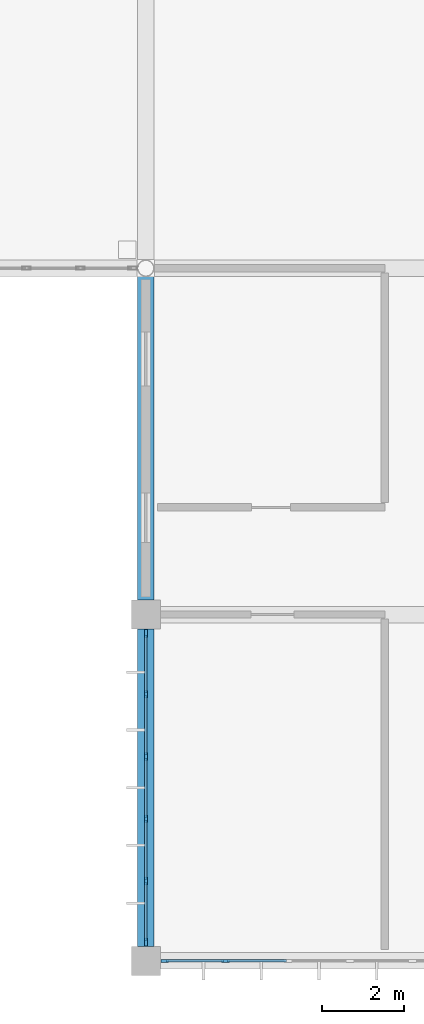
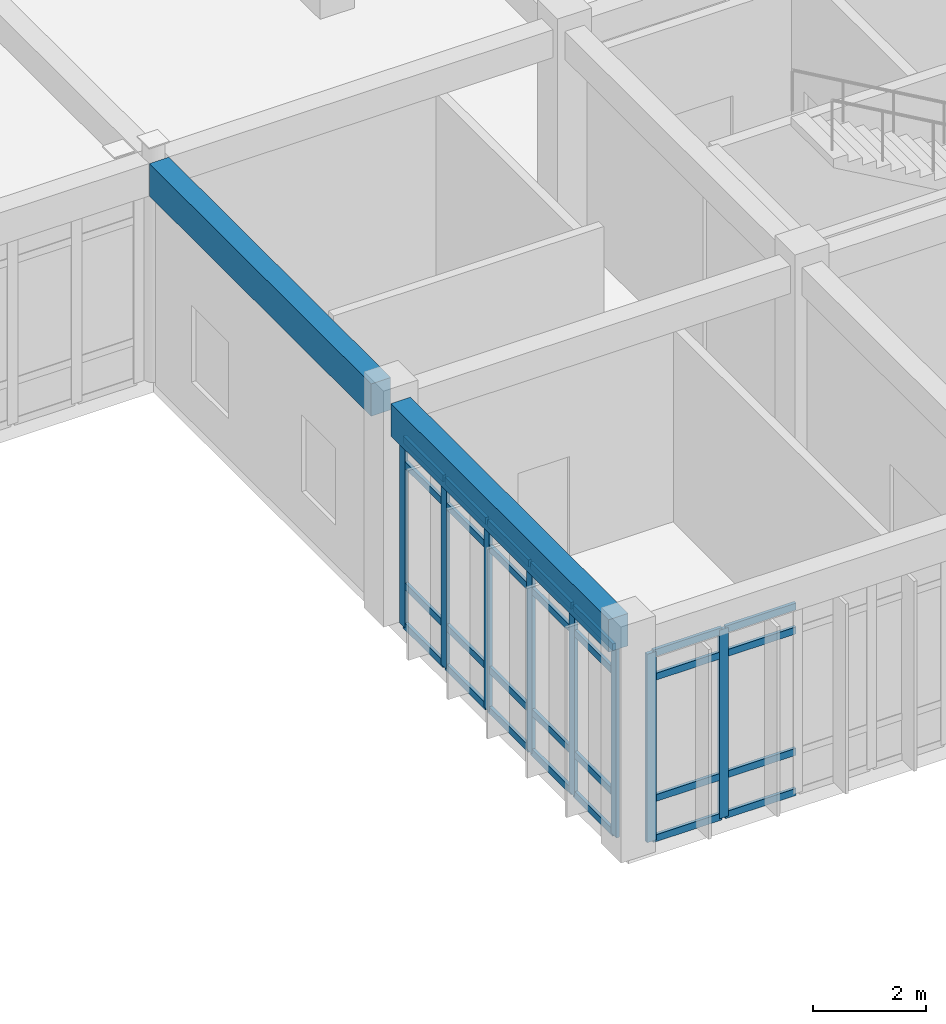
# One storey, part 19 of 134: 36 members, 2 beams, 2 elements without a shape of their own.
"""IFC4 building model written with IfcOpenShell, lengths in metres."""

from ifc_helpers import new_model, si_unit, direction, frame, origin, origin_2d, place, context, subcontext, project, spatial, rectangle, extrude, material, layer, layer_set, material_profile, profile_set, type_object, element, aggregate, save


model = new_model("IFC4")

# Units and contexts
model_context = context("Model", 3, precision=1e-05, world=origin(), true_north=direction((0.0, 1.0)))
body_context = subcontext(model_context, "Body", "Model", "MODEL_VIEW")
ifc_project = project(units=[si_unit("LENGTHUNIT", "METRE"), si_unit("AREAUNIT", "SQUARE_METRE"), si_unit("VOLUMEUNIT", "CUBIC_METRE"), si_unit("PLANEANGLEUNIT", "RADIAN"), si_unit("MASSUNIT", "GRAM", prefix="KILO")], contexts=[model_context])

# Site, building, storey
site_placement = place(None, origin())
site = spatial("IfcSite", under=ifc_project, at=site_placement, CompositionType="ELEMENT")
building_placement = place(site_placement, origin())
building = spatial("IfcBuilding", under=site, at=building_placement, Name="Bramfleet General Hospital", CompositionType="ELEMENT")
storey_placement = place(building_placement, frame((0.0, 0.0, 9.300048828125)))
storey = spatial("IfcBuildingStorey", under=building, at=storey_placement, Name="L02", CompositionType="ELEMENT", Elevation=9.300048828125)

# Beams
ifc_material_1 = material(Name="Concrete C35/45", Category="concrete")
ifc_material_profile_1 = material_profile(ifc_material_1, rectangle(XDim=0.39990234375, YDim=0.699951171875, at=origin_2d()), Name="RC SP 700x400")
ifc_profile_set_1 = profile_set([ifc_material_profile_1], Name="Concrete C35/45")
beam_type = type_object("IfcBeamType", Name="BM-SP700", PredefinedType="SPANDREL", material=ifc_profile_set_1)
beam_1_placement = place(storey_placement, frame((92.39990234375, 0.35009765625, 4.429931640625), z_axis=(0.0, 1.0, 0.0), x_axis=(-1.0, 0.0, 0.0)))
element("IfcBeam", 1, at=beam_1_placement, inside=storey, type_object=beam_type, Name="L02 Grid Beam Y 11-00", PredefinedType="SPANDREL", context=body_context, shape_type="SweptSolid", body=[
    extrude(rectangle(XDim=0.39990234375, YDim=0.699951171875, at=origin_2d()), origin(), (0.0, 0.0, 1.0), 7.699951171875),
])
beam_2_placement = place(storey_placement, frame((92.39990234375, 8.75, 4.429931640625), z_axis=(0.0, 1.0, 0.0), x_axis=(-1.0, 0.0, 0.0)))
element("IfcBeam", 2, at=beam_2_placement, inside=storey, type_object=beam_type, Name="L02 Grid Beam Y 11-01", PredefinedType="SPANDREL", context=body_context, shape_type="SweptSolid", body=[
    extrude(rectangle(XDim=0.39990234375, YDim=0.699951171875, at=origin_2d()), origin(), (0.0, 0.0, 1.0), 7.8466796875),
])

# Curtain wall, members
ifc_material_2 = material(Name="Anodised aluminium and low-E triple glazing", Category="aluminium")
ifc_layer_1 = layer(ifc_material_2, 0.179931640625, Name="CWT-CW-01")
ifc_layer_set_1 = layer_set([ifc_layer_1], Name="Anodised aluminium and low-E triple glazing")
curtain_wall_type_1 = type_object("IfcCurtainWallType", Name="CWT-CW-01", PredefinedType="USERDEFINED", material=ifc_layer_set_1)
curtain_wall_1_placement = place(storey_placement, origin())
curtain_wall_1 = element("IfcCurtainWall", 3, at=curtain_wall_1_placement, inside=storey, type_object=curtain_wall_type_1, Name="L02 Curtain Wall 127", ObjectType="Unitised curtain wall", PredefinedType="USERDEFINED")
ifc_material_3 = material(Name="Structural timber GL28h", Category="wood")
ifc_material_profile_2 = material_profile(ifc_material_3, rectangle(XDim=0.070068359375, YDim=0.18994140625, at=origin_2d()), Name="LARCH 190x70")
ifc_profile_set_2 = profile_set([ifc_material_profile_2], Name="Structural timber GL28h")
member_type_1 = type_object("IfcMemberType", Name="CWM-LARCH450", PredefinedType="MULLION", material=ifc_profile_set_2)
member_1_placement = place(storey_placement, frame((94.3349609375, 0.0, 0.0), z_axis=(0.0, 0.0, 1.0), x_axis=(0.0, -1.0, 0.0)))
member_1 = element("IfcMember", 4, at=member_1_placement, type_object=member_type_1, Name="CW-01 mullion 5", PredefinedType="MULLION", context=body_context, shape_type="SweptSolid", body=[
    extrude(rectangle(XDim=0.070068359375, YDim=0.18994140625, at=origin_2d()), origin(), (0.0, 0.0, 1.0), 4.070068359375),
])
member_2_placement = place(storey_placement, frame((92.860107421875, 0.0, 0.0), z_axis=(0.0, 0.0, 1.0), x_axis=(0.0, -1.0, 0.0)))
member_2 = element("IfcMember", 5, at=member_2_placement, type_object=member_type_1, Name="CW-01 mullion 6", PredefinedType="MULLION", context=body_context, shape_type="SweptSolid", body=[
    extrude(rectangle(XDim=0.070068359375, YDim=0.18994140625, at=origin_2d()), origin(), (0.0, 0.0, 1.0), 4.070068359375),
])

ifc_layer_2 = layer(ifc_material_2, 0.179931640625, Name="CWT-CW-02")
ifc_layer_set_2 = layer_set([ifc_layer_2], Name="Anodised aluminium and low-E triple glazing")
curtain_wall_type_2 = type_object("IfcCurtainWallType", Name="CWT-CW-02", PredefinedType="USERDEFINED", material=ifc_layer_set_2)
curtain_wall_2_placement = place(storey_placement, origin())
curtain_wall_2 = element("IfcCurtainWall", 6, at=curtain_wall_2_placement, inside=storey, type_object=curtain_wall_type_2, Name="L02 Curtain Wall 128", ObjectType="Unitised curtain wall", PredefinedType="USERDEFINED")
member_3_placement = place(storey_placement, frame((92.39990234375, 0.4599609375, 0.0), z_axis=(0.0, 0.0, 1.0), x_axis=(-1.0, 0.0, 0.0)))
member_3 = element("IfcMember", 7, at=member_3_placement, type_object=member_type_1, Name="CW-02 mullion 1", PredefinedType="MULLION", context=body_context, shape_type="SweptSolid", body=[
    extrude(rectangle(XDim=0.070068359375, YDim=0.18994140625, at=origin_2d()), origin(), (0.0, 0.0, 1.0), 4.070068359375),
])
member_4_placement = place(storey_placement, frame((92.39990234375, 1.93505859375, 0.0), z_axis=(0.0, 0.0, 1.0), x_axis=(-1.0, 0.0, 0.0)))
member_4 = element("IfcMember", 8, at=member_4_placement, type_object=member_type_1, Name="CW-02 mullion 2", PredefinedType="MULLION", context=body_context, shape_type="SweptSolid", body=[
    extrude(rectangle(XDim=0.070068359375, YDim=0.18994140625, at=origin_2d()), origin(), (0.0, 0.0, 1.0), 4.070068359375),
])
member_5_placement = place(storey_placement, frame((92.39990234375, 3.445068359375, 0.0), z_axis=(0.0, 0.0, 1.0), x_axis=(-1.0, 0.0, 0.0)))
member_5 = element("IfcMember", 9, at=member_5_placement, type_object=member_type_1, Name="CW-02 mullion 3", PredefinedType="MULLION", context=body_context, shape_type="SweptSolid", body=[
    extrude(rectangle(XDim=0.070068359375, YDim=0.18994140625, at=origin_2d()), origin(), (0.0, 0.0, 1.0), 4.070068359375),
])
member_6_placement = place(storey_placement, frame((92.39990234375, 4.955078125, 0.0), z_axis=(0.0, 0.0, 1.0), x_axis=(-1.0, 0.0, 0.0)))
member_6 = element("IfcMember", 10, at=member_6_placement, type_object=member_type_1, Name="CW-02 mullion 4", PredefinedType="MULLION", context=body_context, shape_type="SweptSolid", body=[
    extrude(rectangle(XDim=0.070068359375, YDim=0.18994140625, at=origin_2d()), origin(), (0.0, 0.0, 1.0), 4.070068359375),
])
member_7_placement = place(storey_placement, frame((92.39990234375, 6.465087890625, 0.0), z_axis=(0.0, 0.0, 1.0), x_axis=(-1.0, 0.0, 0.0)))
member_7 = element("IfcMember", 11, at=member_7_placement, type_object=member_type_1, Name="CW-02 mullion 5", PredefinedType="MULLION", context=body_context, shape_type="SweptSolid", body=[
    extrude(rectangle(XDim=0.070068359375, YDim=0.18994140625, at=origin_2d()), origin(), (0.0, 0.0, 1.0), 4.070068359375),
])
member_8_placement = place(storey_placement, frame((92.39990234375, 7.93994140625, 0.0), z_axis=(0.0, 0.0, 1.0), x_axis=(-1.0, 0.0, 0.0)))
member_8 = element("IfcMember", 12, at=member_8_placement, type_object=member_type_1, Name="CW-02 mullion 6", PredefinedType="MULLION", context=body_context, shape_type="SweptSolid", body=[
    extrude(rectangle(XDim=0.070068359375, YDim=0.18994140625, at=origin_2d()), origin(), (0.0, 0.0, 1.0), 4.070068359375),
])

# Member
ifc_material_profile_3 = material_profile(ifc_material_3, rectangle(XDim=0.06494140625, YDim=0.14990234375, at=origin_2d()), Name="LARCH 150x65")
ifc_profile_set_3 = profile_set([ifc_material_profile_3], Name="Structural timber GL28h")
member_type_2 = type_object("IfcMemberType", Name="CWT-LARCH220", PredefinedType="USERDEFINED", material=ifc_profile_set_3)
member_9_placement = place(storey_placement, frame((95.81005859375, 0.0, 0.032470703125), z_axis=(-1.0, 0.0, 0.0), x_axis=(0.0, -1.0, 0.0)))
member_9 = element("IfcMember", 13, at=member_9_placement, type_object=member_type_2, Name="CW-01 transom 4.1", ObjectType="TRANSOM", PredefinedType="USERDEFINED", context=body_context, shape_type="SweptSolid", body=[
    extrude(rectangle(XDim=0.06494140625, YDim=0.14990234375, at=origin_2d()), origin(), (0.0, 0.0, 1.0), 1.43994140625),
])

member_10_placement = place(storey_placement, frame((95.81005859375, 0.0, 0.89990234375), z_axis=(-1.0, 0.0, 0.0), x_axis=(0.0, -1.0, 0.0)))
member_10 = element("IfcMember", 14, at=member_10_placement, type_object=member_type_2, Name="CW-01 transom 4.2", ObjectType="TRANSOM", PredefinedType="USERDEFINED", context=body_context, shape_type="SweptSolid", body=[
    extrude(rectangle(XDim=0.06494140625, YDim=0.14990234375, at=origin_2d()), origin(), (0.0, 0.0, 1.0), 1.43994140625),
])

member_11_placement = place(storey_placement, frame((95.81005859375, 0.0, 3.52001953125), z_axis=(-1.0, 0.0, 0.0), x_axis=(0.0, -1.0, 0.0)))
member_11 = element("IfcMember", 15, at=member_11_placement, type_object=member_type_2, Name="CW-01 transom 4.3", ObjectType="TRANSOM", PredefinedType="USERDEFINED", context=body_context, shape_type="SweptSolid", body=[
    extrude(rectangle(XDim=0.06494140625, YDim=0.14990234375, at=origin_2d()), origin(), (0.0, 0.0, 1.0), 1.43994140625),
])

member_12_placement = place(storey_placement, frame((95.81005859375, 0.0, 4.037353515625), z_axis=(-1.0, 0.0, 0.0), x_axis=(0.0, -1.0, 0.0)))
member_12 = element("IfcMember", 16, at=member_12_placement, type_object=member_type_2, Name="CW-01 transom 4.4", ObjectType="TRANSOM", PredefinedType="USERDEFINED", context=body_context, shape_type="SweptSolid", body=[
    extrude(rectangle(XDim=0.06494140625, YDim=0.14990234375, at=origin_2d()), origin(), (0.0, 0.0, 1.0), 1.43994140625),
])

member_13_placement = place(storey_placement, frame((94.300048828125, 0.0, 0.032470703125), z_axis=(-1.0, 0.0, 0.0), x_axis=(0.0, -1.0, 0.0)))
member_13 = element("IfcMember", 17, at=member_13_placement, type_object=member_type_2, Name="CW-01 transom 5.1", ObjectType="TRANSOM", PredefinedType="USERDEFINED", context=body_context, shape_type="SweptSolid", body=[
    extrude(rectangle(XDim=0.06494140625, YDim=0.14990234375, at=origin_2d()), origin(), (0.0, 0.0, 1.0), 1.405029296875),
])

member_14_placement = place(storey_placement, frame((94.300048828125, 0.0, 0.89990234375), z_axis=(-1.0, 0.0, 0.0), x_axis=(0.0, -1.0, 0.0)))
member_14 = element("IfcMember", 18, at=member_14_placement, type_object=member_type_2, Name="CW-01 transom 5.2", ObjectType="TRANSOM", PredefinedType="USERDEFINED", context=body_context, shape_type="SweptSolid", body=[
    extrude(rectangle(XDim=0.06494140625, YDim=0.14990234375, at=origin_2d()), origin(), (0.0, 0.0, 1.0), 1.405029296875),
])

member_15_placement = place(storey_placement, frame((94.300048828125, 0.0, 3.52001953125), z_axis=(-1.0, 0.0, 0.0), x_axis=(0.0, -1.0, 0.0)))
member_15 = element("IfcMember", 19, at=member_15_placement, type_object=member_type_2, Name="CW-01 transom 5.3", ObjectType="TRANSOM", PredefinedType="USERDEFINED", context=body_context, shape_type="SweptSolid", body=[
    extrude(rectangle(XDim=0.06494140625, YDim=0.14990234375, at=origin_2d()), origin(), (0.0, 0.0, 1.0), 1.405029296875),
])

member_16_placement = place(storey_placement, frame((94.300048828125, 0.0, 4.037353515625), z_axis=(-1.0, 0.0, 0.0), x_axis=(0.0, -1.0, 0.0)))
member_16 = element("IfcMember", 20, at=member_16_placement, type_object=member_type_2, Name="CW-01 transom 5.4", ObjectType="TRANSOM", PredefinedType="USERDEFINED", context=body_context, shape_type="SweptSolid", body=[
    extrude(rectangle(XDim=0.06494140625, YDim=0.14990234375, at=origin_2d()), origin(), (0.0, 0.0, 1.0), 1.405029296875),
])

aggregate(curtain_wall_1, [member_1, member_2, member_9, member_10, member_11, member_12, member_13, member_14, member_15, member_16])

member_17_placement = place(storey_placement, frame((92.39990234375, 0.4951171875, 0.032470703125), z_axis=(0.0, 1.0, 0.0), x_axis=(-1.0, 0.0, 0.0)))
member_17 = element("IfcMember", 21, at=member_17_placement, type_object=member_type_2, Name="CW-02 transom 1.1", ObjectType="TRANSOM", PredefinedType="USERDEFINED", context=body_context, shape_type="SweptSolid", body=[
    extrude(rectangle(XDim=0.06494140625, YDim=0.14990234375, at=origin_2d()), origin(), (0.0, 0.0, 1.0), 1.40478515625),
])

member_18_placement = place(storey_placement, frame((92.39990234375, 0.4951171875, 0.89990234375), z_axis=(0.0, 1.0, 0.0), x_axis=(-1.0, 0.0, 0.0)))
member_18 = element("IfcMember", 22, at=member_18_placement, type_object=member_type_2, Name="CW-02 transom 1.2", ObjectType="TRANSOM", PredefinedType="USERDEFINED", context=body_context, shape_type="SweptSolid", body=[
    extrude(rectangle(XDim=0.06494140625, YDim=0.14990234375, at=origin_2d()), origin(), (0.0, 0.0, 1.0), 1.40478515625),
])

member_19_placement = place(storey_placement, frame((92.39990234375, 0.4951171875, 3.52001953125), z_axis=(0.0, 1.0, 0.0), x_axis=(-1.0, 0.0, 0.0)))
member_19 = element("IfcMember", 23, at=member_19_placement, type_object=member_type_2, Name="CW-02 transom 1.3", ObjectType="TRANSOM", PredefinedType="USERDEFINED", context=body_context, shape_type="SweptSolid", body=[
    extrude(rectangle(XDim=0.06494140625, YDim=0.14990234375, at=origin_2d()), origin(), (0.0, 0.0, 1.0), 1.40478515625),
])

member_20_placement = place(storey_placement, frame((92.39990234375, 0.4951171875, 4.037353515625), z_axis=(0.0, 1.0, 0.0), x_axis=(-1.0, 0.0, 0.0)))
member_20 = element("IfcMember", 24, at=member_20_placement, type_object=member_type_2, Name="CW-02 transom 1.4", ObjectType="TRANSOM", PredefinedType="USERDEFINED", context=body_context, shape_type="SweptSolid", body=[
    extrude(rectangle(XDim=0.06494140625, YDim=0.14990234375, at=origin_2d()), origin(), (0.0, 0.0, 1.0), 1.40478515625),
])

member_21_placement = place(storey_placement, frame((92.39990234375, 1.969970703125, 0.032470703125), z_axis=(0.0, 1.0, 0.0), x_axis=(-1.0, 0.0, 0.0)))
member_21 = element("IfcMember", 25, at=member_21_placement, type_object=member_type_2, Name="CW-02 transom 2.1", ObjectType="TRANSOM", PredefinedType="USERDEFINED", context=body_context, shape_type="SweptSolid", body=[
    extrude(rectangle(XDim=0.06494140625, YDim=0.14990234375, at=origin_2d()), origin(), (0.0, 0.0, 1.0), 1.43994140625),
])

member_22_placement = place(storey_placement, frame((92.39990234375, 1.969970703125, 0.89990234375), z_axis=(0.0, 1.0, 0.0), x_axis=(-1.0, 0.0, 0.0)))
member_22 = element("IfcMember", 26, at=member_22_placement, type_object=member_type_2, Name="CW-02 transom 2.2", ObjectType="TRANSOM", PredefinedType="USERDEFINED", context=body_context, shape_type="SweptSolid", body=[
    extrude(rectangle(XDim=0.06494140625, YDim=0.14990234375, at=origin_2d()), origin(), (0.0, 0.0, 1.0), 1.43994140625),
])

member_23_placement = place(storey_placement, frame((92.39990234375, 1.969970703125, 3.52001953125), z_axis=(0.0, 1.0, 0.0), x_axis=(-1.0, 0.0, 0.0)))
member_23 = element("IfcMember", 27, at=member_23_placement, type_object=member_type_2, Name="CW-02 transom 2.3", ObjectType="TRANSOM", PredefinedType="USERDEFINED", context=body_context, shape_type="SweptSolid", body=[
    extrude(rectangle(XDim=0.06494140625, YDim=0.14990234375, at=origin_2d()), origin(), (0.0, 0.0, 1.0), 1.43994140625),
])

member_24_placement = place(storey_placement, frame((92.39990234375, 1.969970703125, 4.037353515625), z_axis=(0.0, 1.0, 0.0), x_axis=(-1.0, 0.0, 0.0)))
member_24 = element("IfcMember", 28, at=member_24_placement, type_object=member_type_2, Name="CW-02 transom 2.4", ObjectType="TRANSOM", PredefinedType="USERDEFINED", context=body_context, shape_type="SweptSolid", body=[
    extrude(rectangle(XDim=0.06494140625, YDim=0.14990234375, at=origin_2d()), origin(), (0.0, 0.0, 1.0), 1.43994140625),
])

member_25_placement = place(storey_placement, frame((92.39990234375, 3.47998046875, 0.032470703125), z_axis=(0.0, 1.0, 0.0), x_axis=(-1.0, 0.0, 0.0)))
member_25 = element("IfcMember", 29, at=member_25_placement, type_object=member_type_2, Name="CW-02 transom 3.1", ObjectType="TRANSOM", PredefinedType="USERDEFINED", context=body_context, shape_type="SweptSolid", body=[
    extrude(rectangle(XDim=0.06494140625, YDim=0.14990234375, at=origin_2d()), origin(), (0.0, 0.0, 1.0), 1.43994140625),
])

member_26_placement = place(storey_placement, frame((92.39990234375, 3.47998046875, 0.89990234375), z_axis=(0.0, 1.0, 0.0), x_axis=(-1.0, 0.0, 0.0)))
member_26 = element("IfcMember", 30, at=member_26_placement, type_object=member_type_2, Name="CW-02 transom 3.2", ObjectType="TRANSOM", PredefinedType="USERDEFINED", context=body_context, shape_type="SweptSolid", body=[
    extrude(rectangle(XDim=0.06494140625, YDim=0.14990234375, at=origin_2d()), origin(), (0.0, 0.0, 1.0), 1.43994140625),
])

member_27_placement = place(storey_placement, frame((92.39990234375, 3.47998046875, 3.52001953125), z_axis=(0.0, 1.0, 0.0), x_axis=(-1.0, 0.0, 0.0)))
member_27 = element("IfcMember", 31, at=member_27_placement, type_object=member_type_2, Name="CW-02 transom 3.3", ObjectType="TRANSOM", PredefinedType="USERDEFINED", context=body_context, shape_type="SweptSolid", body=[
    extrude(rectangle(XDim=0.06494140625, YDim=0.14990234375, at=origin_2d()), origin(), (0.0, 0.0, 1.0), 1.43994140625),
])

member_28_placement = place(storey_placement, frame((92.39990234375, 3.47998046875, 4.037353515625), z_axis=(0.0, 1.0, 0.0), x_axis=(-1.0, 0.0, 0.0)))
member_28 = element("IfcMember", 32, at=member_28_placement, type_object=member_type_2, Name="CW-02 transom 3.4", ObjectType="TRANSOM", PredefinedType="USERDEFINED", context=body_context, shape_type="SweptSolid", body=[
    extrude(rectangle(XDim=0.06494140625, YDim=0.14990234375, at=origin_2d()), origin(), (0.0, 0.0, 1.0), 1.43994140625),
])

member_29_placement = place(storey_placement, frame((92.39990234375, 4.989990234375, 0.032470703125), z_axis=(0.0, 1.0, 0.0), x_axis=(-1.0, 0.0, 0.0)))
member_29 = element("IfcMember", 33, at=member_29_placement, type_object=member_type_2, Name="CW-02 transom 4.1", ObjectType="TRANSOM", PredefinedType="USERDEFINED", context=body_context, shape_type="SweptSolid", body=[
    extrude(rectangle(XDim=0.06494140625, YDim=0.14990234375, at=origin_2d()), origin(), (0.0, 0.0, 1.0), 1.43994140625),
])

member_30_placement = place(storey_placement, frame((92.39990234375, 4.989990234375, 0.89990234375), z_axis=(0.0, 1.0, 0.0), x_axis=(-1.0, 0.0, 0.0)))
member_30 = element("IfcMember", 34, at=member_30_placement, type_object=member_type_2, Name="CW-02 transom 4.2", ObjectType="TRANSOM", PredefinedType="USERDEFINED", context=body_context, shape_type="SweptSolid", body=[
    extrude(rectangle(XDim=0.06494140625, YDim=0.14990234375, at=origin_2d()), origin(), (0.0, 0.0, 1.0), 1.43994140625),
])

member_31_placement = place(storey_placement, frame((92.39990234375, 4.989990234375, 3.52001953125), z_axis=(0.0, 1.0, 0.0), x_axis=(-1.0, 0.0, 0.0)))
member_31 = element("IfcMember", 35, at=member_31_placement, type_object=member_type_2, Name="CW-02 transom 4.3", ObjectType="TRANSOM", PredefinedType="USERDEFINED", context=body_context, shape_type="SweptSolid", body=[
    extrude(rectangle(XDim=0.06494140625, YDim=0.14990234375, at=origin_2d()), origin(), (0.0, 0.0, 1.0), 1.43994140625),
])

member_32_placement = place(storey_placement, frame((92.39990234375, 4.989990234375, 4.037353515625), z_axis=(0.0, 1.0, 0.0), x_axis=(-1.0, 0.0, 0.0)))
member_32 = element("IfcMember", 36, at=member_32_placement, type_object=member_type_2, Name="CW-02 transom 4.4", ObjectType="TRANSOM", PredefinedType="USERDEFINED", context=body_context, shape_type="SweptSolid", body=[
    extrude(rectangle(XDim=0.06494140625, YDim=0.14990234375, at=origin_2d()), origin(), (0.0, 0.0, 1.0), 1.43994140625),
])

member_33_placement = place(storey_placement, frame((92.39990234375, 6.5, 0.032470703125), z_axis=(0.0, 1.0, 0.0), x_axis=(-1.0, 0.0, 0.0)))
member_33 = element("IfcMember", 37, at=member_33_placement, type_object=member_type_2, Name="CW-02 transom 5.1", ObjectType="TRANSOM", PredefinedType="USERDEFINED", context=body_context, shape_type="SweptSolid", body=[
    extrude(rectangle(XDim=0.06494140625, YDim=0.14990234375, at=origin_2d()), origin(), (0.0, 0.0, 1.0), 1.405029296875),
])

member_34_placement = place(storey_placement, frame((92.39990234375, 6.5, 0.89990234375), z_axis=(0.0, 1.0, 0.0), x_axis=(-1.0, 0.0, 0.0)))
member_34 = element("IfcMember", 38, at=member_34_placement, type_object=member_type_2, Name="CW-02 transom 5.2", ObjectType="TRANSOM", PredefinedType="USERDEFINED", context=body_context, shape_type="SweptSolid", body=[
    extrude(rectangle(XDim=0.06494140625, YDim=0.14990234375, at=origin_2d()), origin(), (0.0, 0.0, 1.0), 1.405029296875),
])

member_35_placement = place(storey_placement, frame((92.39990234375, 6.5, 3.52001953125), z_axis=(0.0, 1.0, 0.0), x_axis=(-1.0, 0.0, 0.0)))
member_35 = element("IfcMember", 39, at=member_35_placement, type_object=member_type_2, Name="CW-02 transom 5.3", ObjectType="TRANSOM", PredefinedType="USERDEFINED", context=body_context, shape_type="SweptSolid", body=[
    extrude(rectangle(XDim=0.06494140625, YDim=0.14990234375, at=origin_2d()), origin(), (0.0, 0.0, 1.0), 1.405029296875),
])

member_36_placement = place(storey_placement, frame((92.39990234375, 6.5, 4.037353515625), z_axis=(0.0, 1.0, 0.0), x_axis=(-1.0, 0.0, 0.0)))
member_36 = element("IfcMember", 40, at=member_36_placement, type_object=member_type_2, Name="CW-02 transom 5.4", ObjectType="TRANSOM", PredefinedType="USERDEFINED", context=body_context, shape_type="SweptSolid", body=[
    extrude(rectangle(XDim=0.06494140625, YDim=0.14990234375, at=origin_2d()), origin(), (0.0, 0.0, 1.0), 1.405029296875),
])

aggregate(curtain_wall_2, [member_3, member_4, member_5, member_6, member_7, member_8, member_17, member_18, member_19, member_20, member_21, member_22, member_23, member_24, member_25, member_26, member_27, member_28, member_29, member_30, member_31, member_32, member_33, member_34, member_35, member_36])

save(model, "model.ifc")
